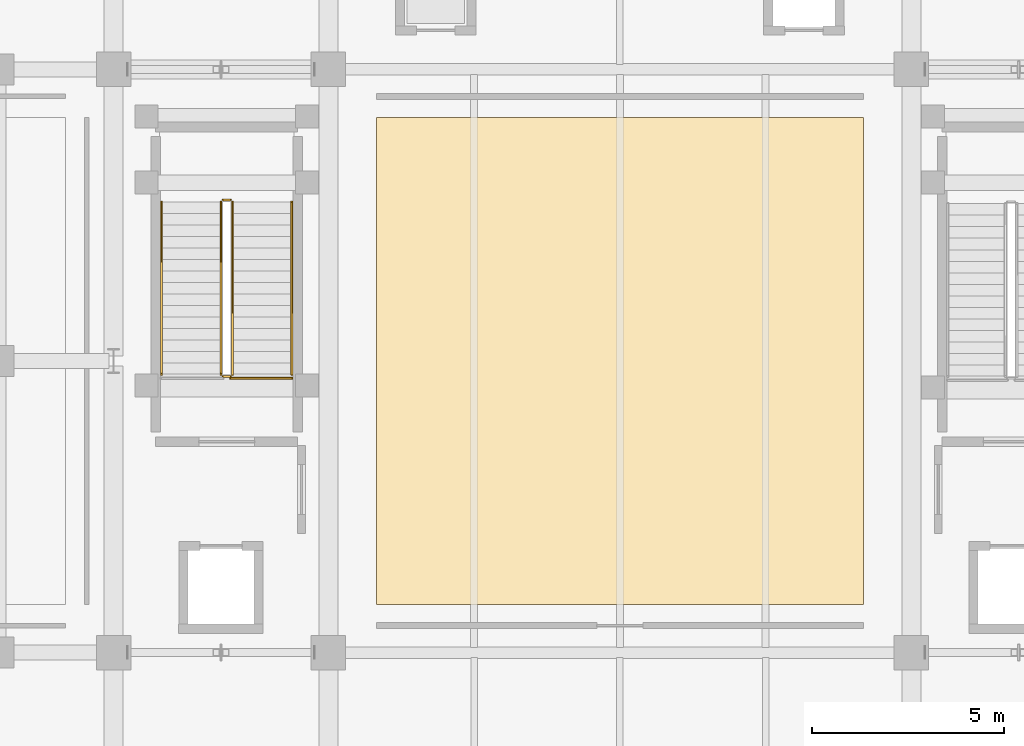
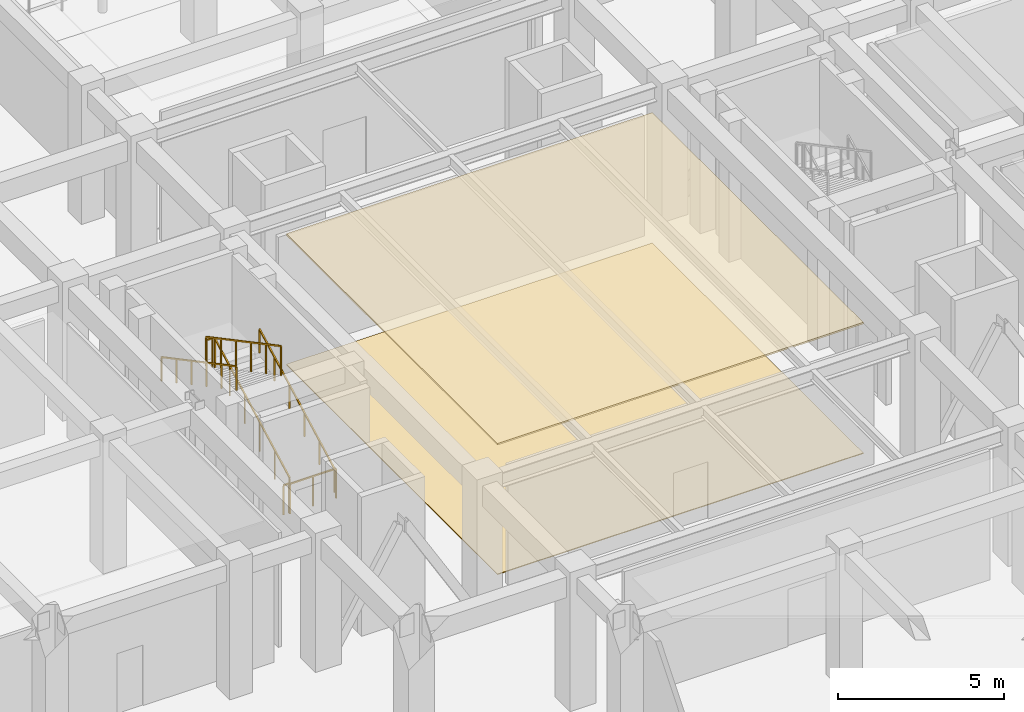
# One storey, part 89 of 99: 7 railings, 2 coverings.
"""IFC4 building model written with IfcOpenShell, lengths in metres."""

from ifc_helpers import new_model, si_unit, direction, frame, origin, origin_2d, place, context, subcontext, project, spatial, polyline, rectangle, outline, extrude, material, layer, layer_set, type_object, element, save


model = new_model("IFC4")

# Units and contexts
model_context = context("Model", 3, precision=1e-05, world=origin(), true_north=direction((0.0, 1.0)))
body_context = subcontext(model_context, "Body", "Model", "MODEL_VIEW")
ifc_project = project(units=[si_unit("LENGTHUNIT", "METRE"), si_unit("AREAUNIT", "SQUARE_METRE"), si_unit("VOLUMEUNIT", "CUBIC_METRE"), si_unit("PLANEANGLEUNIT", "RADIAN"), si_unit("MASSUNIT", "GRAM", prefix="KILO")], contexts=[model_context])

# Site, building, storey
site_placement = place(None, origin())
site = spatial("IfcSite", under=ifc_project, at=site_placement, CompositionType="ELEMENT")
building_placement = place(site_placement, origin())
building = spatial("IfcBuilding", under=site, at=building_placement, Name="Saryqyr Civic Hall", CompositionType="ELEMENT")
storey_placement = place(building_placement, origin())
storey = spatial("IfcBuildingStorey", under=building, at=storey_placement, Name="L00", CompositionType="ELEMENT", Elevation=0.0)

# Coverings
ifc_material_1 = material(Name="Mineral-fibre acoustic ceiling tile", Category="acoustic_tile")
ifc_layer_1 = layer(ifc_material_1, 0.06005859375, Name="Mineral-fibre acoustic ceiling tile")
ifc_layer_set_1 = layer_set([ifc_layer_1], Name="Mineral-fibre acoustic ceiling tile")
covering_type_1 = type_object("IfcCoveringType", Name="INT-COV-CEIL-60", PredefinedType="CEILING", material=ifc_layer_set_1)
covering_1_placement = place(storey_placement, frame((0.0, 0.0, 4.760009765625)))
element("IfcCovering", 1, at=covering_1_placement, inside=storey, type_object=covering_type_1, Name="Acoustic ceiling Grand Civic Rotunda and Chamber Lower Foyer", PredefinedType="CEILING", context=body_context, shape_type="SweptSolid", body=[
    extrude(outline(polyline([(50.64990234375, 77.64990234375), (50.64990234375, 90.35009765625), (63.35009765625, 90.35009765625), (63.35009765625, 77.64990234375), (50.64990234375, 77.64990234375)])), origin(), (0.0, 0.0, 1.0), 0.06005859375),
])
ifc_material_2 = material(Name="Polished terrazzo tile", Category="stone")
ifc_layer_2 = layer(ifc_material_2, 0.030029296875, Name="Polished terrazzo tile")
ifc_layer_set_2 = layer_set([ifc_layer_2], Name="Polished terrazzo tile")
covering_type_2 = type_object("IfcCoveringType", Name="INT-COV-FLR-30", PredefinedType="FLOORING", material=ifc_layer_set_2)
covering_2_placement = place(storey_placement, origin())
element("IfcCovering", 2, at=covering_2_placement, inside=storey, type_object=covering_type_2, Name="Polished terrazzo flooring Grand Civic Rotunda and Chamber Lower Foyer", PredefinedType="FLOORING", context=body_context, shape_type="SweptSolid", body=[
    extrude(outline(polyline([(50.64990234375, 77.64990234375), (50.64990234375, 90.35009765625), (63.35009765625, 90.35009765625), (63.35009765625, 77.64990234375), (50.64990234375, 77.64990234375)])), origin(), (0.0, 0.0, 1.0), 0.030029296875),
])

# Railings
ifc_material_3 = material(Name="Warm brushed brass and laminated glass", Category="glass")
ifc_layer_3 = layer(ifc_material_3, 0.06005859375, Name="Warm brushed brass and laminated glass")
ifc_layer_set_3 = layer_set([ifc_layer_3], Name="Warm brushed brass and laminated glass")
railing_type_1 = type_object("IfcRailingType", Name="INT-RLG-BAL-1100", PredefinedType="BALUSTRADE", material=ifc_layer_set_3)
railing_1_placement = place(storey_placement, frame((46.89990234375, 83.64990234375, 0.159423828125)))
element("IfcRailing", 3, at=railing_1_placement, inside=storey, type_object=railing_type_1, Name="L00 ST-1 stair guard 1", PredefinedType="BALUSTRADE", context=body_context, shape_type="SweptSolid", body=[
    extrude(rectangle(XDim=0.048095703125, YDim=0.048095703125, at=origin_2d()), frame((0.0, 0.0, 1.076171875), z_axis=(0.0, 0.883115719457, 0.469155225962), x_axis=(-1.0, 0.0, 0.0)), (0.0, 0.0, 1.0), 5.095703125),
    extrude(rectangle(XDim=0.0419921875, YDim=0.0419921875, at=origin_2d()), origin(), (0.0, 0.0, 1.0), 1.052001953125),
    extrude(rectangle(XDim=0.0419921875, YDim=0.0419921875, at=origin_2d()), frame((0.0, 0.89990234375, 0.47802734375)), (0.0, 0.0, 1.0), 1.052001953125),
    extrude(rectangle(XDim=0.0419921875, YDim=0.0419921875, at=origin_2d()), frame((0.0, 1.800048828125, 0.956298828125)), (0.0, 0.0, 1.0), 1.052001953125),
    extrude(rectangle(XDim=0.0419921875, YDim=0.0419921875, at=origin_2d()), frame((0.0, 2.699951171875, 1.434326171875)), (0.0, 0.0, 1.0), 1.052001953125),
    extrude(rectangle(XDim=0.0419921875, YDim=0.0419921875, at=origin_2d()), frame((0.0, 3.60009765625, 1.91259765625)), (0.0, 0.0, 1.0), 1.052001953125),
    extrude(rectangle(XDim=0.0419921875, YDim=0.0419921875, at=origin_2d()), frame((0.0, 4.5, 2.390625)), (0.0, 0.0, 1.0), 1.052001953125),
])
railing_2_placement = place(storey_placement, frame((46.85009765625, 88.199951171875, 2.550048828125)))
element("IfcRailing", 4, at=railing_2_placement, inside=storey, type_object=railing_type_1, Name="L00 ST-1 stair guard 2", PredefinedType="BALUSTRADE", context=body_context, shape_type="SweptSolid", body=[
    extrude(rectangle(XDim=0.048095703125, YDim=0.048095703125, at=origin_2d()), frame((0.0, 0.0, 1.076171875), z_axis=(-1.0, 0.0, 0.0), x_axis=(0.0, -1.0, 0.0)), (0.0, 0.0, 1.0), 0.2001953125),
    extrude(rectangle(XDim=0.0419921875, YDim=0.0419921875, at=origin_2d()), origin(), (0.0, 0.0, 1.0), 1.052001953125),
    extrude(rectangle(XDim=0.0419921875, YDim=0.0419921875, at=origin_2d()), frame((-0.2001953125, 0.0, 0.0)), (0.0, 0.0, 1.0), 1.052001953125),
])
railing_3_placement = place(storey_placement, frame((46.60009765625, 88.14990234375, 2.70947265625)))
element("IfcRailing", 5, at=railing_3_placement, inside=storey, type_object=railing_type_1, Name="L00 ST-1 stair guard 3", PredefinedType="BALUSTRADE", context=body_context, shape_type="SweptSolid", body=[
    extrude(rectangle(XDim=0.048095703125, YDim=0.048095703125, at=origin_2d()), frame((0.0, 0.0, 1.076171875), z_axis=(0.0, -0.883115719457, 0.469155225962), x_axis=(1.0, 0.0, 0.0)), (0.0, 0.0, 1.0), 5.095703125),
    extrude(rectangle(XDim=0.0419921875, YDim=0.0419921875, at=origin_2d()), origin(), (0.0, 0.0, 1.0), 1.052001953125),
    extrude(rectangle(XDim=0.0419921875, YDim=0.0419921875, at=origin_2d()), frame((0.0, -0.89990234375, 0.47802734375)), (0.0, 0.0, 1.0), 1.052001953125),
    extrude(rectangle(XDim=0.0419921875, YDim=0.0419921875, at=origin_2d()), frame((0.0, -1.800048828125, 0.956298828125)), (0.0, 0.0, 1.0), 1.052001953125),
    extrude(rectangle(XDim=0.0419921875, YDim=0.0419921875, at=origin_2d()), frame((0.0, -2.699951171875, 1.434326171875)), (0.0, 0.0, 1.0), 1.052001953125),
    extrude(rectangle(XDim=0.0419921875, YDim=0.0419921875, at=origin_2d()), frame((0.0, -3.60009765625, 1.91259765625)), (0.0, 0.0, 1.0), 1.052001953125),
    extrude(rectangle(XDim=0.0419921875, YDim=0.0419921875, at=origin_2d()), frame((0.0, -4.5, 2.390625)), (0.0, 0.0, 1.0), 1.052001953125),
])
railing_4_placement = place(storey_placement, frame((46.85009765625, 83.60009765625, 0.0)))
element("IfcRailing", 6, at=railing_4_placement, inside=storey, type_object=railing_type_1, Name="L00 ST-1 stair guard 4", PredefinedType="BALUSTRADE", context=body_context, shape_type="SweptSolid", body=[
    extrude(rectangle(XDim=0.048095703125, YDim=0.048095703125, at=origin_2d()), frame((0.0, 0.0, 1.076171875), z_axis=(-1.0, 0.0, 0.0), x_axis=(0.0, -1.0, 0.0)), (0.0, 0.0, 1.0), 0.2001953125),
    extrude(rectangle(XDim=0.0419921875, YDim=0.0419921875, at=origin_2d()), origin(), (0.0, 0.0, 1.0), 1.052001953125),
    extrude(rectangle(XDim=0.0419921875, YDim=0.0419921875, at=origin_2d()), frame((-0.2001953125, 0.0, 0.0)), (0.0, 0.0, 1.0), 1.052001953125),
])
railing_5_placement = place(storey_placement, frame((46.85009765625, 83.550048828125, 0.0)))
element("IfcRailing", 7, at=railing_5_placement, inside=storey, type_object=railing_type_1, Name="Interior deck safety balustrade L00-067", PredefinedType="BALUSTRADE", context=body_context, shape_type="SweptSolid", body=[
    extrude(rectangle(XDim=0.048095703125, YDim=0.048095703125, at=origin_2d()), frame((0.0, 0.0, 1.09619140625), z_axis=(1.0, 0.0, 0.0), x_axis=(0.0, 1.0, 0.0)), (0.0, 0.0, 1.0), 1.60498046875),
    extrude(rectangle(XDim=0.0419921875, YDim=0.0419921875, at=origin_2d()), origin(), (0.0, 0.0, 1.0), 1.072021484375),
    extrude(rectangle(XDim=0.0419921875, YDim=0.0419921875, at=origin_2d()), frame((0.802490234375, 0.0, 0.0)), (0.0, 0.0, 1.0), 1.072021484375),
    extrude(rectangle(XDim=0.0419921875, YDim=0.0419921875, at=origin_2d()), frame((1.60498046875, 0.0, 0.0)), (0.0, 0.0, 1.0), 1.072021484375),
])
ifc_material_4 = material(Name="Stainless steel", Category="steel")
ifc_layer_4 = layer(ifc_material_4, 0.050048828125, Name="Stainless steel")
ifc_layer_set_4 = layer_set([ifc_layer_4], Name="Stainless steel")
railing_type_2 = type_object("IfcRailingType", Name="INT-RLG-HND-900", PredefinedType="HANDRAIL", material=ifc_layer_set_4)
railing_6_placement = place(storey_placement, frame((48.449951171875, 83.64990234375, 0.159423828125)))
element("IfcRailing", 8, at=railing_6_placement, inside=storey, type_object=railing_type_2, Name="L00 ST-1 stair handrail 1", PredefinedType="HANDRAIL", context=body_context, shape_type="SweptSolid", body=[
    extrude(rectangle(XDim=0.048095703125, YDim=0.048095703125, at=origin_2d()), frame((0.0, 0.0, 0.8759765625), z_axis=(0.0, 0.883115719457, 0.469155225962), x_axis=(-1.0, 0.0, 0.0)), (0.0, 0.0, 1.0), 5.095703125),
    extrude(rectangle(XDim=0.0419921875, YDim=0.0419921875, at=origin_2d()), origin(), (0.0, 0.0, 1.0), 0.851806640625),
    extrude(rectangle(XDim=0.0419921875, YDim=0.0419921875, at=origin_2d()), frame((0.0, 0.89990234375, 0.47802734375)), (0.0, 0.0, 1.0), 0.851806640625),
    extrude(rectangle(XDim=0.0419921875, YDim=0.0419921875, at=origin_2d()), frame((0.0, 1.800048828125, 0.956298828125)), (0.0, 0.0, 1.0), 0.851806640625),
    extrude(rectangle(XDim=0.0419921875, YDim=0.0419921875, at=origin_2d()), frame((0.0, 2.699951171875, 1.434326171875)), (0.0, 0.0, 1.0), 0.851806640625),
    extrude(rectangle(XDim=0.0419921875, YDim=0.0419921875, at=origin_2d()), frame((0.0, 3.60009765625, 1.91259765625)), (0.0, 0.0, 1.0), 0.851806640625),
    extrude(rectangle(XDim=0.0419921875, YDim=0.0419921875, at=origin_2d()), frame((0.0, 4.5, 2.390625)), (0.0, 0.0, 1.0), 0.851806640625),
])
railing_7_placement = place(storey_placement, frame((45.050048828125, 88.14990234375, 2.70947265625)))
element("IfcRailing", 9, at=railing_7_placement, inside=storey, type_object=railing_type_2, Name="L00 ST-1 stair handrail 2", PredefinedType="HANDRAIL", context=body_context, shape_type="SweptSolid", body=[
    extrude(rectangle(XDim=0.048095703125, YDim=0.048095703125, at=origin_2d()), frame((0.0, 0.0, 0.8759765625), z_axis=(0.0, -0.883115719457, 0.469155225962), x_axis=(1.0, 0.0, 0.0)), (0.0, 0.0, 1.0), 5.095703125),
    extrude(rectangle(XDim=0.0419921875, YDim=0.0419921875, at=origin_2d()), origin(), (0.0, 0.0, 1.0), 0.851806640625),
    extrude(rectangle(XDim=0.0419921875, YDim=0.0419921875, at=origin_2d()), frame((0.0, -0.89990234375, 0.47802734375)), (0.0, 0.0, 1.0), 0.851806640625),
    extrude(rectangle(XDim=0.0419921875, YDim=0.0419921875, at=origin_2d()), frame((0.0, -1.800048828125, 0.956298828125)), (0.0, 0.0, 1.0), 0.851806640625),
    extrude(rectangle(XDim=0.0419921875, YDim=0.0419921875, at=origin_2d()), frame((0.0, -2.699951171875, 1.434326171875)), (0.0, 0.0, 1.0), 0.851806640625),
    extrude(rectangle(XDim=0.0419921875, YDim=0.0419921875, at=origin_2d()), frame((0.0, -3.60009765625, 1.91259765625)), (0.0, 0.0, 1.0), 0.851806640625),
    extrude(rectangle(XDim=0.0419921875, YDim=0.0419921875, at=origin_2d()), frame((0.0, -4.5, 2.390625)), (0.0, 0.0, 1.0), 0.851806640625),
])

save(model, "model.ifc")
